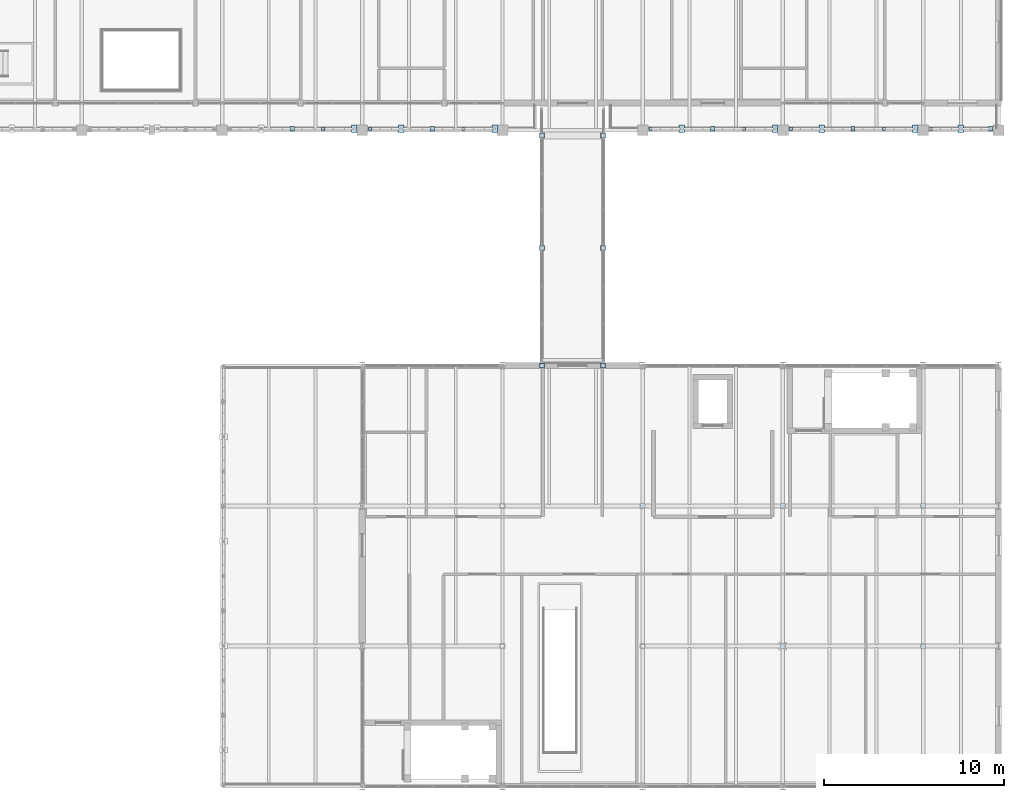
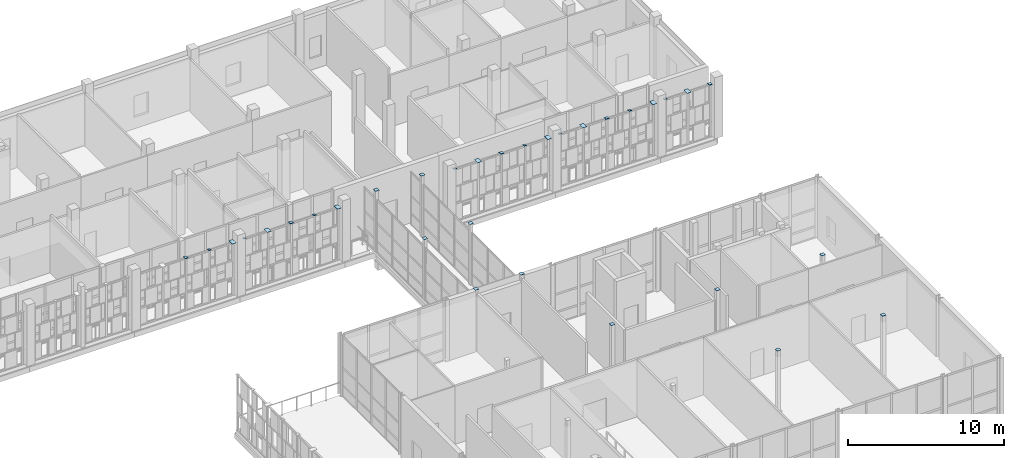
# One storey, part 99 of 138: 32 plates.
"""IFC4 building model written with IfcOpenShell, lengths in metres."""

from ifc_helpers import new_model, si_unit, direction, frame, origin, origin_2d, place, context, subcontext, project, spatial, rectangle, extrude, material, layer, layer_set, type_object, element, save


model = new_model("IFC4")

# Units and contexts
model_context = context("Model", 3, precision=1e-05, world=origin(), true_north=direction((0.0, 1.0)))
body_context = subcontext(model_context, "Body", "Model", "MODEL_VIEW")
ifc_project = project(units=[si_unit("LENGTHUNIT", "METRE"), si_unit("AREAUNIT", "SQUARE_METRE"), si_unit("VOLUMEUNIT", "CUBIC_METRE"), si_unit("PLANEANGLEUNIT", "RADIAN"), si_unit("MASSUNIT", "GRAM", prefix="KILO")], contexts=[model_context])

# Site, building, storey
site_placement = place(None, origin())
site = spatial("IfcSite", under=ifc_project, at=site_placement, CompositionType="ELEMENT")
building_placement = place(site_placement, origin())
building = spatial("IfcBuilding", under=site, at=building_placement, Name="Celorna Specialist Clinic", CompositionType="ELEMENT")
storey_placement = place(building_placement, frame((0.0, 0.0, 4.800048828125)))
storey = spatial("IfcBuildingStorey", under=building, at=storey_placement, Name="L01", CompositionType="ELEMENT", Elevation=4.800048828125)

# Plates
ifc_material = material(Name="Steel S355", Category="steel")
ifc_layer_1 = layer(ifc_material, 0.013916015625, Name="Steel S355")
ifc_layer_set_1 = layer_set([ifc_layer_1], Name="Steel S355")
plate_type_1 = type_object("IfcPlateType", Name="EP-05", PredefinedType="SHEET", material=ifc_layer_set_1)
for number, where, z_axis, x_axis, name in (
    (1, (148.199951171875, 75.60009765625, 4.7998046875), (0.0, 0.0, 1.0), (1.0, 0.0, 0.0), "Hollow column cap plate COL-L01-CT-19-14820-7560"),
    (2, (156.0, 67.800048828125, 4.7998046875), (0.0, 0.0, 1.0), (1.0, 0.0, 0.0), "Hollow column cap plate COL-L01-CT-19-15600-6780"),
    (3, (156.0, 75.60009765625, 4.7998046875), (0.0, 0.0, 1.0), (1.0, 0.0, 0.0), "Hollow column cap plate COL-L01-CT-19-15600-7560"),
    (4, (163.800048828125, 67.800048828125, 4.7998046875), (0.0, 0.0, 1.0), (1.0, 0.0, 0.0), "Hollow column cap plate COL-L01-CT-19-16380-6780"),
    (5, (163.800048828125, 75.60009765625, 4.7998046875), (0.0, 0.0, 1.0), (1.0, 0.0, 0.0), "Hollow column cap plate COL-L01-CT-19-16380-7560"),
    (6, (142.60009765625, 83.39990234375, 4.7998046875), (0.0, 0.0, 1.0), (1.0, 0.0, 0.0), "Hollow column cap plate COL-L01-CT-15-14260-8340"),
    (7, (146.0, 83.39990234375, 4.7998046875), (0.0, 0.0, 1.0), (1.0, 0.0, 0.0), "Hollow column cap plate COL-L01-CT-15-14600-8340"),
    (8, (142.60009765625, 89.949951171875, 4.7998046875), (0.0, 0.0, 1.0), (1.0, 0.0, 0.0), "Hollow column cap plate COL-L01-CT-15-14260-8995"),
    (9, (146.0, 89.949951171875, 4.7998046875), (0.0, 0.0, 1.0), (1.0, 0.0, 0.0), "Hollow column cap plate COL-L01-CT-15-14600-8995"),
    (10, (142.60009765625, 96.199951171875, 4.7998046875), (0.0, 0.0, 1.0), (1.0, 0.0, 0.0), "Hollow column cap plate COL-L01-CT-15-14260-9620"),
    (11, (146.0, 96.199951171875, 4.7998046875), (0.0, 0.0, 1.0), (1.0, 0.0, 0.0), "Hollow column cap plate COL-L01-CT-15-14600-9620"),
):
    element("IfcPlate", number, at=place(storey_placement, frame(where, z_axis=z_axis, x_axis=x_axis)), inside=storey, type_object=plate_type_1, Name=name, PredefinedType="SHEET", context=body_context, shape_type="SweptSolid", body=[
        extrude(rectangle(XDim=0.280029296875, YDim=0.280029296875, at=origin_2d()), origin(), (0.0, 0.0, 1.0), 0.01611328125),
    ])
ifc_layer_2 = layer(ifc_material, 0.011962890625, Name="Steel S355")
ifc_layer_set_2 = layer_set([ifc_layer_2], Name="Steel S355")
plate_type_2 = type_object("IfcPlateType", Name="EP-06", PredefinedType="SHEET", material=ifc_layer_set_2)
for number, where, z_axis, x_axis, name in (
    (12, (130.429931640625, 96.580078125, 4.14013671875), (0.0, 0.0, 1.0), (1.0, 0.0, 0.0), "Screen post cap plate EP-06 #903"),
    (13, (133.0400390625, 96.580078125, 4.14013671875), (0.0, 0.0, 1.0), (1.0, 0.0, 0.0), "Screen post cap plate EP-06 #921"),
    (14, (138.22998046875, 96.580078125, 4.14013671875), (0.0, 0.0, 1.0), (1.0, 0.0, 0.0), "Screen post cap plate EP-06 #924"),
    (15, (148.639892578125, 96.580078125, 4.14013671875), (0.0, 0.0, 1.0), (1.0, 0.0, 0.0), "Screen post cap plate EP-06 #942"),
    (16, (153.830078125, 96.580078125, 4.14013671875), (0.0, 0.0, 1.0), (1.0, 0.0, 0.0), "Screen post cap plate EP-06 #945"),
    (17, (156.43994140625, 96.580078125, 4.14013671875), (0.0, 0.0, 1.0), (1.0, 0.0, 0.0), "Screen post cap plate EP-06 #963"),
    (18, (161.6298828125, 96.580078125, 4.14013671875), (0.0, 0.0, 1.0), (1.0, 0.0, 0.0), "Screen post cap plate EP-06 #966"),
    (19, (164.239990234375, 96.580078125, 4.14013671875), (0.0, 0.0, 1.0), (1.0, 0.0, 0.0), "Screen post cap plate EP-06 #984"),
):
    element("IfcPlate", number, at=place(storey_placement, frame(where, z_axis=z_axis, x_axis=x_axis)), inside=storey, type_object=plate_type_2, Name=name, PredefinedType="SHEET", context=body_context, shape_type="SweptSolid", body=[
        extrude(rectangle(XDim=0.179931640625, YDim=0.179931640625, at=origin_2d()), origin(), (0.0, 0.0, 1.0), 0.011962890625),
    ])
ifc_layer_3 = layer(ifc_material, 0.01611328125, Name="Steel S355")
ifc_layer_set_3 = layer_set([ifc_layer_3], Name="Steel S355")
plate_type_3 = type_object("IfcPlateType", Name="EP-07", PredefinedType="SHEET", material=ifc_layer_set_3)
for number, where, z_axis, x_axis, name in (
    (20, (132.159912109375, 96.580078125, 4.139892578125), (0.0, 0.0, 1.0), (1.0, 0.0, 0.0), "Screen post cap plate EP-07 #904"),
    (21, (134.77001953125, 96.580078125, 4.139892578125), (0.0, 0.0, 1.0), (1.0, 0.0, 0.0), "Screen post cap plate EP-07 #922"),
    (22, (139.9599609375, 96.580078125, 4.139892578125), (0.0, 0.0, 1.0), (1.0, 0.0, 0.0), "Screen post cap plate EP-07 #925"),
    (23, (150.3701171875, 96.580078125, 4.139892578125), (0.0, 0.0, 1.0), (1.0, 0.0, 0.0), "Screen post cap plate EP-07 #943"),
    (24, (155.56005859375, 96.580078125, 4.139892578125), (0.0, 0.0, 1.0), (1.0, 0.0, 0.0), "Screen post cap plate EP-07 #946"),
    (25, (158.169921875, 96.580078125, 4.139892578125), (0.0, 0.0, 1.0), (1.0, 0.0, 0.0), "Screen post cap plate EP-07 #964"),
    (26, (163.360107421875, 96.580078125, 4.139892578125), (0.0, 0.0, 1.0), (1.0, 0.0, 0.0), "Screen post cap plate EP-07 #967"),
    (27, (165.89990234375, 96.580078125, 4.139892578125), (0.0, 0.0, 1.0), (1.0, 0.0, 0.0), "Screen post cap plate EP-07 #985"),
):
    element("IfcPlate", number, at=place(storey_placement, frame(where, z_axis=z_axis, x_axis=x_axis)), inside=storey, type_object=plate_type_3, Name=name, PredefinedType="SHEET", context=body_context, shape_type="SweptSolid", body=[
        extrude(rectangle(XDim=0.300048828125, YDim=0.43994140625, at=origin_2d()), origin(), (0.0, 0.0, 1.0), 0.01611328125),
    ])
ifc_layer_4 = layer(ifc_material, 0.013916015625, Name="Steel S355")
ifc_layer_set_4 = layer_set([ifc_layer_4], Name="Steel S355")
plate_type_4 = type_object("IfcPlateType", Name="EP-08", PredefinedType="SHEET", material=ifc_layer_set_4)
for number, where, z_axis, x_axis, name in (
    (28, (128.699951171875, 96.580078125, 4.14013671875), (0.0, 0.0, 1.0), (1.0, 0.0, 0.0), "Screen post cap plate EP-08 #902"),
    (29, (136.5, 96.580078125, 4.14013671875), (0.0, 0.0, 1.0), (1.0, 0.0, 0.0), "Screen post cap plate EP-08 #923"),
    (30, (152.10009765625, 96.580078125, 4.14013671875), (0.0, 0.0, 1.0), (1.0, 0.0, 0.0), "Screen post cap plate EP-08 #944"),
    (31, (159.89990234375, 96.580078125, 4.14013671875), (0.0, 0.0, 1.0), (1.0, 0.0, 0.0), "Screen post cap plate EP-08 #965"),
    (32, (167.56005859375, 96.580078125, 4.14013671875), (0.0, 0.0, 1.0), (1.0, 0.0, 0.0), "Screen post cap plate EP-08 #986"),
):
    element("IfcPlate", number, at=place(storey_placement, frame(where, z_axis=z_axis, x_axis=x_axis)), inside=storey, type_object=plate_type_4, Name=name, PredefinedType="SHEET", context=body_context, shape_type="SweptSolid", body=[
        extrude(rectangle(XDim=0.239990234375, YDim=0.239990234375, at=origin_2d()), origin(), (0.0, 0.0, 1.0), 0.013916015625),
    ])

save(model, "model.ifc")
